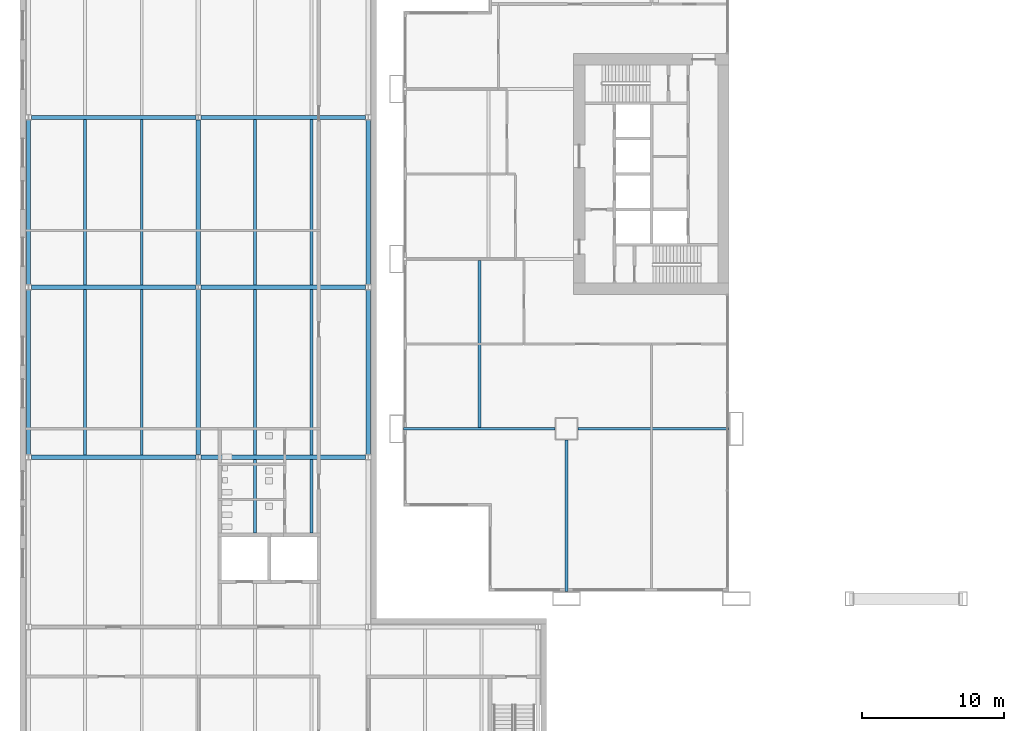
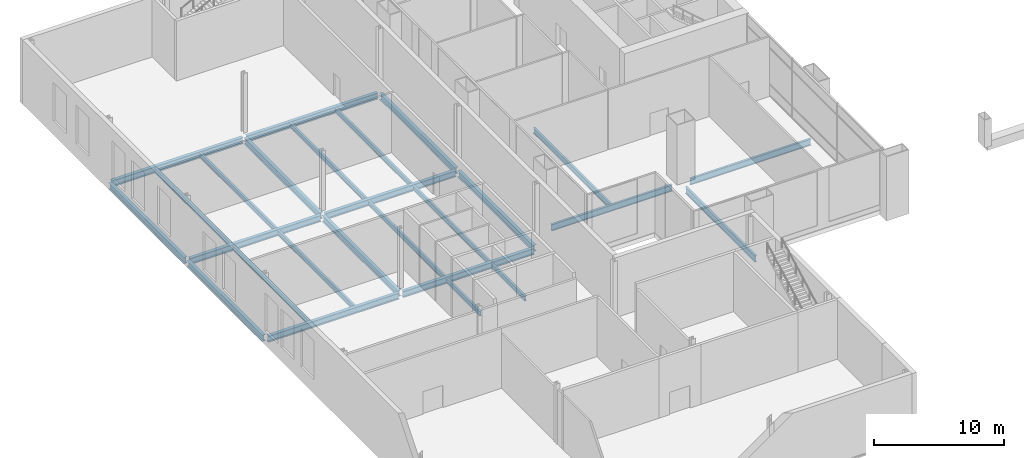
# One storey, part 8 of 25: 26 beams.
"""IFC4 building model written with IfcOpenShell, lengths in metres."""

from ifc_helpers import new_model, si_unit, direction, frame, origin, origin_2d, place, context, subcontext, project, spatial, i_section, extrude, material, material_profile, profile_set, type_object, element, save


model = new_model("IFC4")

# Units and contexts
model_context = context("Model", 3, precision=1e-05, world=origin(), true_north=direction((0.0, 1.0)))
body_context = subcontext(model_context, "Body", "Model", "MODEL_VIEW")
ifc_project = project(units=[si_unit("LENGTHUNIT", "METRE"), si_unit("AREAUNIT", "SQUARE_METRE"), si_unit("VOLUMEUNIT", "CUBIC_METRE"), si_unit("PLANEANGLEUNIT", "RADIAN"), si_unit("MASSUNIT", "GRAM", prefix="KILO")], contexts=[model_context])

# Site, building, storey
site_placement = place(None, origin())
site = spatial("IfcSite", under=ifc_project, at=site_placement, CompositionType="ELEMENT")
building_placement = place(site_placement, origin())
building = spatial("IfcBuilding", under=site, at=building_placement, Name="Kitamizu Gate Tower and Museum", CompositionType="ELEMENT")
storey_placement = place(building_placement, frame((0.0, 0.0, 18.0)))
storey = spatial("IfcBuildingStorey", under=building, at=storey_placement, Name="L03", CompositionType="ELEMENT", Elevation=18.0)

# Beams
ifc_material_1 = material(Name="Steel SM490A", Category="steel")
ifc_material_profile_1 = material_profile(ifc_material_1, i_section(OverallWidth=0.199951171875, OverallDepth=0.5, WebThickness=0.010009765625, FlangeThickness=0.01611328125, FilletRadius=0.02001953125, at=origin_2d()), Name="H-500x200x10x16")
ifc_profile_set_1 = profile_set([ifc_material_profile_1], Name="Steel SM490A")
beam_type_1 = type_object("IfcBeamType", Name="Floor beam FB1 H 500x200x10x16", PredefinedType="BEAM", material=ifc_profile_set_1)
beam_1_placement = place(storey_placement, frame((5.85009765625, 12.10009765625, -0.64990234375), z_axis=(0.0, 1.0, 0.0), x_axis=(-1.0, 0.0, 0.0)))
element("IfcBeam", 1, at=beam_1_placement, inside=storey, type_object=beam_type_1, Name="Floor beam FB1 L03-1", PredefinedType="BEAM", context=body_context, shape_type="SweptSolid", body=[
    extrude(i_section(OverallWidth=0.199951171875, OverallDepth=0.5, WebThickness=0.010009765625, FlangeThickness=0.01611328125, FilletRadius=0.02001953125, at=origin_2d()), origin(), (0.0, 0.0, 1.0), 11.7998046875),
])
ifc_material_2 = material(Name="Steel SM490A", Category="steel")
ifc_material_profile_2 = material_profile(ifc_material_2, i_section(OverallWidth=0.199951171875, OverallDepth=0.60009765625, WebThickness=0.010986328125, FlangeThickness=0.01708984375, FilletRadius=0.02197265625, at=origin_2d()), Name="H-600x200x11x17")
ifc_profile_set_2 = profile_set([ifc_material_profile_2], Name="Steel SM490A")
beam_type_2 = type_object("IfcBeamType", Name="Floor girder FG1 H 600x200x11x17", PredefinedType="BEAM", material=ifc_profile_set_2)
for number, where, z_axis, x_axis, name in (
    (2, (12.0, 0.5, -0.699951171875), (0.0, 1.0, 0.0), (-1.0, 0.0, 0.0), "Floor girder FG1 x12 L03"),
    (3, (0.5, 12.0, -0.699951171875), (1.0, 0.0, 0.0), (0.0, 1.0, 0.0), "Floor girder FG1 y12 L03"),
    (4, (12.800048828125, 12.0, -0.699951171875), (1.0, 0.0, 0.0), (0.0, 1.0, 0.0), "Floor girder FG1 y12 L03"),
):
    element("IfcBeam", number, at=place(storey_placement, frame(where, z_axis=z_axis, x_axis=x_axis)), inside=storey, type_object=beam_type_2, Name=name, PredefinedType="BEAM", context=body_context, shape_type="SweptSolid", body=[
        extrude(i_section(OverallWidth=0.199951171875, OverallDepth=0.60009765625, WebThickness=0.010986328125, FlangeThickness=0.01708984375, FilletRadius=0.02197265625, at=origin_2d()), origin(), (0.0, 0.0, 1.0), 10.699951171875),
    ])
ifc_material_3 = material(Name="Steel SS400", Category="steel")
ifc_material_profile_3 = material_profile(ifc_material_3, i_section(OverallWidth=0.300048828125, OverallDepth=0.587890625, WebThickness=0.011962890625, FlangeThickness=0.02001953125, FilletRadius=0.028076171875, at=origin_2d()), Name="H-588x300x12x20")
ifc_profile_set_3 = profile_set([ifc_material_profile_3], Name="Steel SS400")
beam_type_3 = type_object("IfcBeamType", Name="Museum girder H 588x300x12x20", PredefinedType="BEAM", material=ifc_profile_set_3)
for number, where, z_axis, x_axis, name in (
    (5, (-25.800048828125, 10.0, -0.694091796875), (1.0, 0.0, 0.0), (0.0, 1.0, 0.0), "Girder xM1M2MD"),
    (6, (-25.800048828125, 22.0, -0.694091796875), (1.0, 0.0, 0.0), (0.0, 1.0, 0.0), "Girder xM1M2ME"),
    (7, (-25.800048828125, 34.0, -0.694091796875), (1.0, 0.0, 0.0), (0.0, 1.0, 0.0), "Girder xM1M2MF"),
    (8, (-13.824951171875, 10.0, -0.694091796875), (1.0, 0.0, 0.0), (0.0, 1.0, 0.0), "Girder xM2M3MD"),
    (9, (-13.824951171875, 22.0, -0.694091796875), (1.0, 0.0, 0.0), (0.0, 1.0, 0.0), "Girder xM2M3ME"),
    (10, (-13.824951171875, 34.0, -0.694091796875), (1.0, 0.0, 0.0), (0.0, 1.0, 0.0), "Girder xM2M3MF"),
):
    element("IfcBeam", number, at=place(storey_placement, frame(where, z_axis=z_axis, x_axis=x_axis)), inside=storey, type_object=beam_type_3, Name=name, PredefinedType="BEAM", context=body_context, shape_type="SweptSolid", body=[
        extrude(i_section(OverallWidth=0.300048828125, OverallDepth=0.587890625, WebThickness=0.011962890625, FlangeThickness=0.02001953125, FilletRadius=0.028076171875, at=origin_2d()), origin(), (0.0, 0.0, 1.0), 11.625),
    ])
beam_2_placement = place(storey_placement, frame((-26.0, 10.199951171875, -0.694091796875), z_axis=(0.0, 1.0, 0.0), x_axis=(-1.0, 0.0, 0.0)))
element("IfcBeam", 11, at=beam_2_placement, inside=storey, type_object=beam_type_3, Name="Girder yM1MDME", PredefinedType="BEAM", context=body_context, shape_type="SweptSolid", body=[
    extrude(i_section(OverallWidth=0.300048828125, OverallDepth=0.587890625, WebThickness=0.011962890625, FlangeThickness=0.02001953125, FilletRadius=0.028076171875, at=origin_2d()), origin(), (0.0, 0.0, 1.0), 11.60009765625),
])
beam_3_placement = place(storey_placement, frame((-14.0, 10.175048828125, -0.694091796875), z_axis=(0.0, 1.0, 0.0), x_axis=(-1.0, 0.0, 0.0)))
element("IfcBeam", 12, at=beam_3_placement, inside=storey, type_object=beam_type_3, Name="Girder yM2MDME", PredefinedType="BEAM", context=body_context, shape_type="SweptSolid", body=[
    extrude(i_section(OverallWidth=0.300048828125, OverallDepth=0.587890625, WebThickness=0.011962890625, FlangeThickness=0.02001953125, FilletRadius=0.028076171875, at=origin_2d()), origin(), (0.0, 0.0, 1.0), 11.64990234375),
])
for number, where, z_axis, x_axis, name in (
    (13, (-2.0, 10.199951171875, -0.694091796875), (0.0, 1.0, 0.0), (-1.0, 0.0, 0.0), "Girder yM3MDME"),
    (14, (-26.0, 22.199951171875, -0.694091796875), (0.0, 1.0, 0.0), (-1.0, 0.0, 0.0), "Girder yM1MEMF"),
):
    element("IfcBeam", number, at=place(storey_placement, frame(where, z_axis=z_axis, x_axis=x_axis)), inside=storey, type_object=beam_type_3, Name=name, PredefinedType="BEAM", context=body_context, shape_type="SweptSolid", body=[
        extrude(i_section(OverallWidth=0.300048828125, OverallDepth=0.587890625, WebThickness=0.011962890625, FlangeThickness=0.02001953125, FilletRadius=0.028076171875, at=origin_2d()), origin(), (0.0, 0.0, 1.0), 11.60009765625),
    ])
beam_4_placement = place(storey_placement, frame((-14.0, 22.175048828125, -0.694091796875), z_axis=(0.0, 1.0, 0.0), x_axis=(-1.0, 0.0, 0.0)))
element("IfcBeam", 15, at=beam_4_placement, inside=storey, type_object=beam_type_3, Name="Girder yM2MEMF", PredefinedType="BEAM", context=body_context, shape_type="SweptSolid", body=[
    extrude(i_section(OverallWidth=0.300048828125, OverallDepth=0.587890625, WebThickness=0.011962890625, FlangeThickness=0.02001953125, FilletRadius=0.028076171875, at=origin_2d()), origin(), (0.0, 0.0, 1.0), 11.64990234375),
])
beam_5_placement = place(storey_placement, frame((-2.0, 22.199951171875, -0.694091796875), z_axis=(0.0, 1.0, 0.0), x_axis=(-1.0, 0.0, 0.0)))
element("IfcBeam", 16, at=beam_5_placement, inside=storey, type_object=beam_type_3, Name="Girder yM3MEMF", PredefinedType="BEAM", context=body_context, shape_type="SweptSolid", body=[
    extrude(i_section(OverallWidth=0.300048828125, OverallDepth=0.587890625, WebThickness=0.011962890625, FlangeThickness=0.02001953125, FilletRadius=0.028076171875, at=origin_2d()), origin(), (0.0, 0.0, 1.0), 11.60009765625),
])
ifc_material_4 = material(Name="Steel SS400", Category="steel")
ifc_material_profile_4 = material_profile(ifc_material_4, i_section(OverallWidth=0.199951171875, OverallDepth=0.449951171875, WebThickness=0.009033203125, FlangeThickness=0.013916015625, FilletRadius=0.01806640625, at=origin_2d()), Name="H-450x200x9x14")
ifc_profile_set_4 = profile_set([ifc_material_profile_4], Name="Steel SS400")
beam_type_4 = type_object("IfcBeamType", Name="Museum secondary beam H 450x200x9x14", PredefinedType="JOIST", material=ifc_profile_set_4)
for number, where, z_axis, x_axis, name in (
    (17, (-22.0, 10.14990234375, -0.625), (0.0, 1.0, 0.0), (-1.0, 0.0, 0.0), "Secondary beam M1M2MDME.1"),
    (18, (-18.0, 10.14990234375, -0.625), (0.0, 1.0, 0.0), (-1.0, 0.0, 0.0), "Secondary beam M1M2MDME.2"),
    (19, (-22.0, 22.14990234375, -0.625), (0.0, 1.0, 0.0), (-1.0, 0.0, 0.0), "Secondary beam M1M2MEMF.1"),
    (20, (-18.0, 22.14990234375, -0.625), (0.0, 1.0, 0.0), (-1.0, 0.0, 0.0), "Secondary beam M1M2MEMF.2"),
):
    element("IfcBeam", number, at=place(storey_placement, frame(where, z_axis=z_axis, x_axis=x_axis)), inside=storey, type_object=beam_type_4, Name=name, PredefinedType="JOIST", context=body_context, shape_type="SweptSolid", body=[
        extrude(i_section(OverallWidth=0.199951171875, OverallDepth=0.449951171875, WebThickness=0.009033203125, FlangeThickness=0.013916015625, FilletRadius=0.01806640625, at=origin_2d()), origin(), (0.0, 0.0, 1.0), 11.7001953125),
    ])
for number, where, z_axis, x_axis, name in (
    (21, (-10.0, 4.625, -0.625), (0.0, 1.0, 0.0), (-1.0, 0.0, 0.0), "Secondary beam M2M3MCMD.1"),
    (22, (-6.0, 4.625, -0.625), (0.0, 1.0, 0.0), (-1.0, 0.0, 0.0), "Secondary beam M2M3MCMD.2"),
):
    element("IfcBeam", number, at=place(storey_placement, frame(where, z_axis=z_axis, x_axis=x_axis)), inside=storey, type_object=beam_type_4, Name=name, PredefinedType="JOIST", context=body_context, shape_type="SweptSolid", body=[
        extrude(i_section(OverallWidth=0.199951171875, OverallDepth=0.449951171875, WebThickness=0.009033203125, FlangeThickness=0.013916015625, FilletRadius=0.01806640625, at=origin_2d()), origin(), (0.0, 0.0, 1.0), 5.22509765625),
    ])
for number, where, z_axis, x_axis, name in (
    (23, (-10.0, 10.14990234375, -0.625), (0.0, 1.0, 0.0), (-1.0, 0.0, 0.0), "Secondary beam M2M3MDME.1"),
    (24, (-6.0, 10.14990234375, -0.625), (0.0, 1.0, 0.0), (-1.0, 0.0, 0.0), "Secondary beam M2M3MDME.2"),
    (25, (-10.0, 22.14990234375, -0.625), (0.0, 1.0, 0.0), (-1.0, 0.0, 0.0), "Secondary beam M2M3MEMF.1"),
    (26, (-6.0, 22.14990234375, -0.625), (0.0, 1.0, 0.0), (-1.0, 0.0, 0.0), "Secondary beam M2M3MEMF.2"),
):
    element("IfcBeam", number, at=place(storey_placement, frame(where, z_axis=z_axis, x_axis=x_axis)), inside=storey, type_object=beam_type_4, Name=name, PredefinedType="JOIST", context=body_context, shape_type="SweptSolid", body=[
        extrude(i_section(OverallWidth=0.199951171875, OverallDepth=0.449951171875, WebThickness=0.009033203125, FlangeThickness=0.013916015625, FilletRadius=0.01806640625, at=origin_2d()), origin(), (0.0, 0.0, 1.0), 11.7001953125),
    ])

save(model, "model.ifc")
